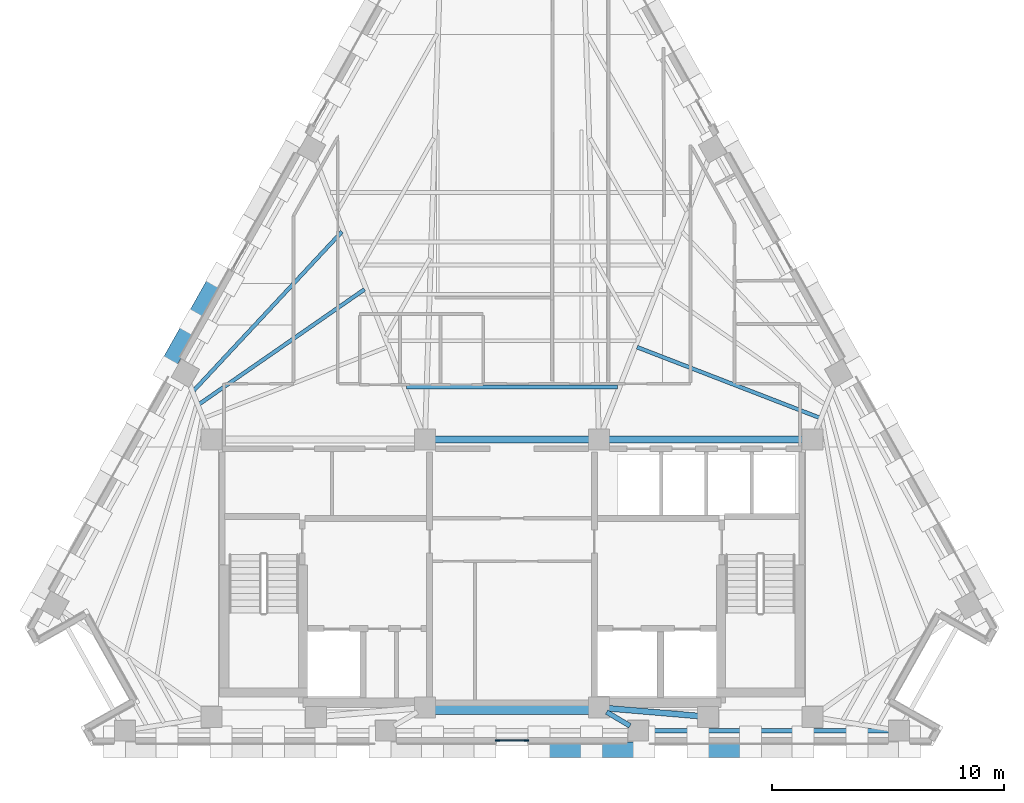
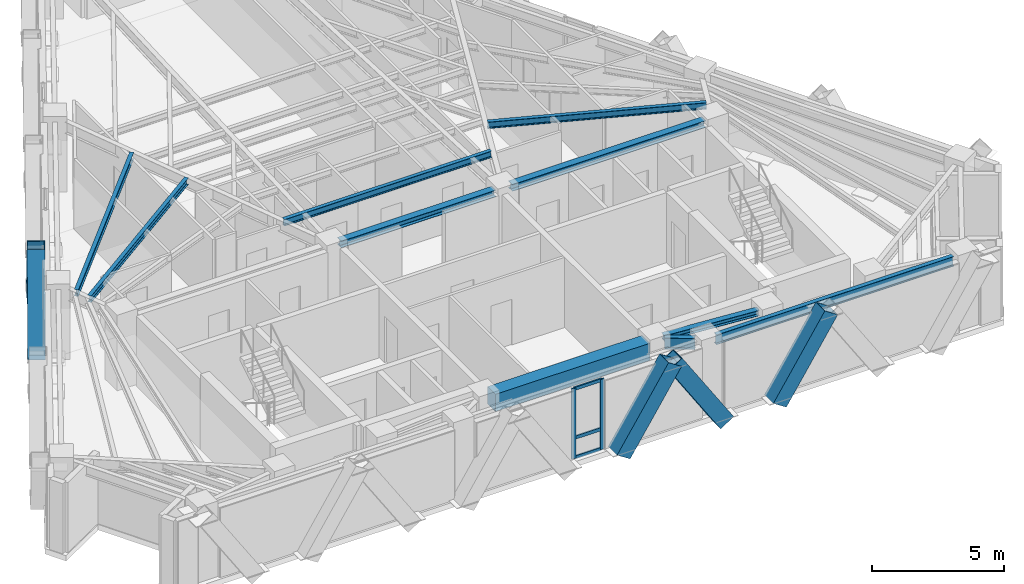
# One storey, part 2 of 13: 10 beams, 10 members, 1 element without a shape of its own.
"""IFC4 building model written with IfcOpenShell, lengths in metres."""

from ifc_helpers import new_model, si_unit, direction, frame, origin, origin_2d, place, context, subcontext, project, spatial, rectangle, hollow_rectangle, i_section, extrude, material, material_profile, profile_set, type_object, element, aggregate, save


model = new_model("IFC4")

# Units and contexts
model_context = context("Model", 3, precision=1e-05, world=origin(), true_north=direction((0.0, 1.0)))
body_context = subcontext(model_context, "Body", "Model", "MODEL_VIEW")
ifc_project = project(units=[si_unit("LENGTHUNIT", "METRE"), si_unit("AREAUNIT", "SQUARE_METRE"), si_unit("VOLUMEUNIT", "CUBIC_METRE"), si_unit("PLANEANGLEUNIT", "RADIAN"), si_unit("MASSUNIT", "GRAM", prefix="KILO")], contexts=[model_context])

# Site, building, storey
site_placement = place(None, origin())
site = spatial("IfcSite", under=ifc_project, at=site_placement, CompositionType="ELEMENT")
building_placement = place(site_placement, origin())
building = spatial("IfcBuilding", under=site, at=building_placement, Name="Quenlor Broadcast Tower", CompositionType="ELEMENT")
storey_placement = place(building_placement, frame((0.0, 0.0, 207.89990234375)))
storey = spatial("IfcBuildingStorey", under=building, at=storey_placement, Name="L57", CompositionType="ELEMENT", Elevation=207.89990234375)

# Curtain wall, members
ifc_material_1 = material(Name="Architectural Terracotta and Low-E Glazing", Category="masonry")
curtain_wall_type = type_object("IfcCurtainWallType", Name="Unitised Terracotta Curtain Wall System Z4", PredefinedType="NOTDEFINED", material=ifc_material_1)
curtain_wall_placement = place(storey_placement, origin())
curtain_wall = element("IfcCurtainWall", 1, at=curtain_wall_placement, inside=storey, type_object=curtain_wall_type, Name="L57 Curtain Wall CW4 (L57-S-G1)", PredefinedType="NOTDEFINED")
ifc_material_2 = material(Name="Aluminium 6063-T6", Category="aluminium")
ifc_material_profile_1 = material_profile(ifc_material_2, rectangle(XDim=0.068115234375, YDim=0.179931640625, at=origin_2d()))
ifc_profile_set_1 = profile_set([ifc_material_profile_1], Name="Aluminium 6063-T6 MULL68x180")
member_type_1 = type_object("IfcMemberType", Name="CW4 Aluminium Mullion MULL_CW4", PredefinedType="MULLION", material=ifc_profile_set_1)
member_1_placement = place(storey_placement, frame((0.62841796875, -17.77490234375, 0.0), z_axis=(0.0, 0.0, 1.0), x_axis=(0.0, -1.0, 0.0)))
member_1 = element("IfcMember", 2, at=member_1_placement, type_object=member_type_1, Name="CW4 mullion 1", PredefinedType="MULLION", context=body_context, shape_type="SweptSolid", body=[
    extrude(rectangle(XDim=0.068115234375, YDim=0.179931640625, at=origin_2d()), origin(), (0.0, 0.0, 1.0), 3.25),
])
member_2_placement = place(storey_placement, frame((-0.62841796875, -17.77490234375, 0.0), z_axis=(0.0, 0.0, 1.0), x_axis=(0.0, -1.0, 0.0)))
member_2 = element("IfcMember", 3, at=member_2_placement, type_object=member_type_1, Name="CW4 mullion 2", PredefinedType="MULLION", context=body_context, shape_type="SweptSolid", body=[
    extrude(rectangle(XDim=0.068115234375, YDim=0.179931640625, at=origin_2d()), origin(), (0.0, 0.0, 1.0), 3.25),
])
ifc_material_3 = material(Name="Aluminium 6063-T6", Category="aluminium")
ifc_material_profile_2 = material_profile(ifc_material_3, rectangle(XDim=0.068115234375, YDim=0.14990234375, at=origin_2d()))
ifc_profile_set_2 = profile_set([ifc_material_profile_2], Name="Aluminium 6063-T6 TRAN68x150")
member_type_2 = type_object("IfcMemberType", Name="CW4 Aluminium Transom TRAN_CW4", PredefinedType="USERDEFINED", material=ifc_profile_set_2)
member_3_placement = place(storey_placement, frame((0.59423828125, -17.77490234375, 0.0341796875), z_axis=(-1.0, 0.0, 0.0), x_axis=(0.0, -1.0, 0.0)))
member_3 = element("IfcMember", 4, at=member_3_placement, type_object=member_type_2, Name="CW4 transom 1.1", ObjectType="TRANSOM", PredefinedType="USERDEFINED", context=body_context, shape_type="SweptSolid", body=[
    extrude(rectangle(XDim=0.068115234375, YDim=0.14990234375, at=origin_2d()), origin(), (0.0, 0.0, 1.0), 1.1884765625),
])
member_4_placement = place(storey_placement, frame((0.59423828125, -17.77490234375, 0.9501953125), z_axis=(-1.0, 0.0, 0.0), x_axis=(0.0, -1.0, 0.0)))
member_4 = element("IfcMember", 5, at=member_4_placement, type_object=member_type_2, Name="CW4 transom 1.2", ObjectType="TRANSOM", PredefinedType="USERDEFINED", context=body_context, shape_type="SweptSolid", body=[
    extrude(rectangle(XDim=0.068115234375, YDim=0.14990234375, at=origin_2d()), origin(), (0.0, 0.0, 1.0), 1.1884765625),
])
member_5_placement = place(storey_placement, frame((0.59423828125, -17.77490234375, 3.216064453125), z_axis=(-1.0, 0.0, 0.0), x_axis=(0.0, -1.0, 0.0)))
member_5 = element("IfcMember", 6, at=member_5_placement, type_object=member_type_2, Name="CW4 transom 1.3", ObjectType="TRANSOM", PredefinedType="USERDEFINED", context=body_context, shape_type="SweptSolid", body=[
    extrude(rectangle(XDim=0.068115234375, YDim=0.14990234375, at=origin_2d()), origin(), (0.0, 0.0, 1.0), 1.1884765625),
])
aggregate(curtain_wall, [member_1, member_2, member_3, member_4, member_5])

# Beams
ifc_material_4 = material(Name="Concrete C50/60", Category="concrete")
ifc_material_profile_3 = material_profile(ifc_material_4, rectangle(XDim=0.60009765625, YDim=0.800048828125, at=origin_2d()))
ifc_profile_set_3 = profile_set([ifc_material_profile_3], Name="Concrete C50/60 RCB600x800")
beam_type_1 = type_object("IfcBeamType", Name="Core Coupling Beam Concrete C50/60 600x800", PredefinedType="BEAM", material=ifc_profile_set_3)
beam_1_placement = place(storey_placement, frame((-3.389892578125, -16.35009765625, 2.85009765625), z_axis=(1.0, 0.0, 0.0), x_axis=(0.0, 1.0, 0.0)))
element("IfcBeam", 7, at=beam_1_placement, inside=storey, type_object=beam_type_1, Name="L57 Core Coupling Beam 6", PredefinedType="BEAM", context=body_context, shape_type="SweptSolid", body=[
    extrude(rectangle(XDim=0.60009765625, YDim=0.800048828125, at=origin_2d()), origin(), (0.0, 0.0, 1.0), 6.77978515625),
])
ifc_material_5 = material(Name="Steel S355", Category="steel")
ifc_material_profile_4 = material_profile(ifc_material_5, i_section(OverallWidth=0.304931640625, OverallDepth=0.30810546875, WebThickness=0.010009765625, FlangeThickness=0.015380859375, FilletRadius=0.0166015625, at=origin_2d()))
ifc_profile_set_4 = profile_set([ifc_material_profile_4], Name="Steel S355 310UC96.8")
beam_type_2 = type_object("IfcBeamType", Name="Core Header Beam Steel S355 310UC96.8", PredefinedType="BEAM", material=ifc_profile_set_4)
beam_2_placement = place(storey_placement, frame((-3.389892578125, -4.800048828125, 3.09619140625), z_axis=(1.0, 0.0, 0.0), x_axis=(0.0, 1.0, 0.0)))
element("IfcBeam", 8, at=beam_2_placement, inside=storey, type_object=beam_type_2, Name="L57 Core Header Beam 2", PredefinedType="BEAM", context=body_context, shape_type="SweptSolid", body=[
    extrude(i_section(OverallWidth=0.304931640625, OverallDepth=0.30810546875, WebThickness=0.010009765625, FlangeThickness=0.015380859375, FilletRadius=0.0166015625, at=origin_2d()), origin(), (0.0, 0.0, 1.0), 6.77978515625),
])
ifc_material_6 = material(Name="Steel S355", Category="steel")
ifc_material_profile_5 = material_profile(ifc_material_6, i_section(OverallWidth=0.25390625, OverallDepth=0.25390625, WebThickness=0.008544921875, FlangeThickness=0.01416015625, FilletRadius=0.013916015625, at=origin_2d()))
ifc_profile_set_5 = profile_set([ifc_material_profile_5], Name="Steel S355 250UC72.9")
beam_type_3 = type_object("IfcBeamType", Name="Core Opening Lintel Beam Steel S355 250UC72.9", PredefinedType="LINTEL", material=ifc_profile_set_5)
beam_3_placement = place(storey_placement, frame((4.108642578125, -16.380615234375, 3.123291015625), z_axis=(0.996399763903, -0.084779186679, 0.0), x_axis=(0.084779186679, 0.996399763903, 0.0)))
element("IfcBeam", 9, at=beam_3_placement, inside=storey, type_object=beam_type_3, Name="L57 Core Opening Lintel Beam 5", PredefinedType="LINTEL", context=body_context, shape_type="SweptSolid", body=[
    extrude(i_section(OverallWidth=0.25390625, OverallDepth=0.25390625, WebThickness=0.008544921875, FlangeThickness=0.01416015625, FilletRadius=0.013916015625, at=origin_2d()), origin(), (0.0, 0.0, 1.0), 3.9970703125),
])
ifc_material_7 = material(Name="Steel S355", Category="steel")
ifc_material_profile_6 = material_profile(ifc_material_7, i_section(OverallWidth=0.306884765625, OverallDepth=0.314697265625, WebThickness=0.011962890625, FlangeThickness=0.018798828125, FilletRadius=0.0166015625, at=origin_2d()))
ifc_profile_set_6 = profile_set([ifc_material_profile_6], Name="Steel S355 310UC118")
beam_type_4 = type_object("IfcBeamType", Name="Core Tie Beam Steel S355 310UC118", PredefinedType="BEAM", material=ifc_profile_set_6)
beam_4_placement = place(storey_placement, frame((4.110107421875, -4.800048828125, 3.0927734375), z_axis=(1.0, 0.0, 0.0), x_axis=(0.0, 1.0, 0.0)))
element("IfcBeam", 10, at=beam_4_placement, inside=storey, type_object=beam_type_4, Name="L57 Core Tie Beam 3", PredefinedType="BEAM", context=body_context, shape_type="SweptSolid", body=[
    extrude(i_section(OverallWidth=0.306884765625, OverallDepth=0.314697265625, WebThickness=0.011962890625, FlangeThickness=0.018798828125, FilletRadius=0.0166015625, at=origin_2d()), origin(), (0.0, 0.0, 1.0), 8.47998046875),
])

# Members
ifc_material_8 = material(Name="Steel S355", Category="steel")
ifc_material_profile_7 = material_profile(ifc_material_8, hollow_rectangle(XDim=0.679931640625, YDim=0.679931640625, WallThickness=0.02490234375, at=origin_2d()))
ifc_profile_set_7 = profile_set([ifc_material_profile_7], Name="Steel S355 RHS680x680x25")
member_type_3 = type_object("IfcMemberType", Name="Perimeter Diagonal Lattice Brace Z3-Z4 Steel S355 RHS680x25", PredefinedType="BRACE", material=ifc_profile_set_7)
for number, where, z_axis, x_axis, name in (
    (11, (5.695068359375, -18.169921875, -0.119873046875), (-0.541794306908, 0.0, 0.840511111766), (0.0, -1.0, 0.0), "L57 Perimeter Diamond Lattice S-C2S"),
    (12, (8.005859375, -18.169921875, -0.119873046875), (0.541794306908, 0.0, 0.840511111766), (0.0, 1.0, 0.0), "L57 Perimeter Diamond Lattice S-C2B"),
    (13, (1.155517578125, -18.169921875, -0.119873046875), (0.541794306908, 0.0, 0.840511111766), (0.0, 1.0, 0.0), "L57 Perimeter Diamond Lattice S-C3B"),
):
    element("IfcMember", number, at=place(storey_placement, frame(where, z_axis=z_axis, x_axis=x_axis)), inside=storey, type_object=member_type_3, Name=name, PredefinedType="BRACE", context=body_context, shape_type="SweptSolid", body=[
        extrude(hollow_rectangle(XDim=0.679931640625, YDim=0.679931640625, WallThickness=0.02490234375, at=origin_2d()), origin(), (0.0, 0.0, 1.0), 4.1640625),
    ])
for number, where, z_axis, x_axis, name in (
    (14, (-14.923828125, -1.78466796875, -0.119873046875), (0.269485495908, 0.479188912076, 0.835317636614), (-0.871620820774, 0.490180726664, 0.0), "L57 Perimeter Diamond Lattice NW-C2S"),
    (15, (-12.651611328125, 2.255126953125, -0.119873046875), (-0.269547055694, -0.479136497832, 0.835327840559), (0.871550060774, -0.49030652817, 0.0), "L57 Perimeter Diamond Lattice NW-C3B"),
):
    element("IfcMember", number, at=place(storey_placement, frame(where, z_axis=z_axis, x_axis=x_axis)), inside=storey, type_object=member_type_3, Name=name, PredefinedType="BRACE", context=body_context, shape_type="SweptSolid", body=[
        extrude(hollow_rectangle(XDim=0.679931640625, YDim=0.679931640625, WallThickness=0.02490234375, at=origin_2d()), origin(), (0.0, 0.0, 1.0), 4.18994140625),
    ])

# Beams
ifc_material_9 = material(Name="Steel S355", Category="steel")
ifc_material_profile_8 = material_profile(ifc_material_9, i_section(OverallWidth=0.18994140625, OverallDepth=0.453857421875, WebThickness=0.008544921875, FlangeThickness=0.0126953125, FilletRadius=0.011474609375, at=origin_2d()))
ifc_profile_set_8 = profile_set([ifc_material_profile_8], Name="Steel S355 460UB67.1")
beam_type_5 = type_object("IfcBeamType", Name="Perimeter Spandrel Beam Z4 Steel S355 460UB67.1", PredefinedType="SPANDREL", material=ifc_profile_set_8)
beam_5_placement = place(storey_placement, frame((5.847900390625, -17.35009765625, 3.023193359375), z_axis=(1.0, 0.0, 0.0), x_axis=(0.0, 1.0, 0.0)))
element("IfcBeam", 16, at=beam_5_placement, inside=storey, type_object=beam_type_5, Name="L57 Spandrel Beam S3-S4", PredefinedType="SPANDREL", context=body_context, shape_type="SweptSolid", body=[
    extrude(i_section(OverallWidth=0.18994140625, OverallDepth=0.453857421875, WebThickness=0.008544921875, FlangeThickness=0.0126953125, FilletRadius=0.011474609375, at=origin_2d()), origin(), (0.0, 0.0, 1.0), 10.41796875),
])
ifc_material_10 = material(Name="Steel S355", Category="steel")
ifc_material_profile_9 = material_profile(ifc_material_10, i_section(OverallWidth=0.166015625, OverallDepth=0.30712890625, WebThickness=0.006591796875, FlangeThickness=0.01171875, FilletRadius=0.011474609375, at=origin_2d()))
ifc_profile_set_9 = profile_set([ifc_material_profile_9], Name="Steel S355 310UB46.2")
beam_type_6 = type_object("IfcBeamType", Name="Tower Composite Joist Z4-Z5 Steel S355 310UB46.2", PredefinedType="JOIST", material=ifc_profile_set_9)
beam_6_placement = place(storey_placement, frame((-4.550048828125, -2.54736328125, 3.096435546875), z_axis=(1.0, 0.0, 0.0), x_axis=(0.0, 1.0, 0.0)))
element("IfcBeam", 17, at=beam_6_placement, inside=storey, type_object=beam_type_6, Name="L57 Secondary Composite Joist 1", PredefinedType="JOIST", context=body_context, shape_type="SweptSolid", body=[
    extrude(i_section(OverallWidth=0.166015625, OverallDepth=0.30712890625, WebThickness=0.006591796875, FlangeThickness=0.01171875, FilletRadius=0.011474609375, at=origin_2d()), origin(), (0.0, 0.0, 1.0), 9.10009765625),
])
beam_7_placement = place(storey_placement, frame((-13.470458984375, -3.273681640625, 3.096435546875), z_axis=(0.821539857981, 0.570151086773, 0.0), x_axis=(-0.570151086773, 0.821539857981, 0.0)))
element("IfcBeam", 18, at=beam_7_placement, inside=storey, type_object=beam_type_6, Name="L57 Secondary Composite Joist 8", PredefinedType="JOIST", context=body_context, shape_type="SweptSolid", body=[
    extrude(i_section(OverallWidth=0.166015625, OverallDepth=0.30712890625, WebThickness=0.006591796875, FlangeThickness=0.01171875, FilletRadius=0.011474609375, at=origin_2d()), origin(), (0.0, 0.0, 1.0), 8.656982421875),
])
beam_8_placement = place(storey_placement, frame((-13.707275390625, -2.691162109375, 3.096435546875), z_axis=(0.682034672805, 0.731319837754, 0.0), x_axis=(-0.731319837754, 0.682034672805, 0.0)))
element("IfcBeam", 19, at=beam_8_placement, inside=storey, type_object=beam_type_6, Name="L57 Secondary Composite Joist 9", PredefinedType="JOIST", context=body_context, shape_type="SweptSolid", body=[
    extrude(i_section(OverallWidth=0.166015625, OverallDepth=0.30712890625, WebThickness=0.006591796875, FlangeThickness=0.01171875, FilletRadius=0.011474609375, at=origin_2d()), origin(), (0.0, 0.0, 1.0), 9.357421875),
])
beam_9_placement = place(storey_placement, frame((13.236083984375, -3.85986328125, 3.096435546875), z_axis=(-0.932639299023, 0.360810113381, 0.0), x_axis=(-0.360810113381, -0.932639299023, 0.0)))
element("IfcBeam", 20, at=beam_9_placement, inside=storey, type_object=beam_type_6, Name="L57 Secondary Composite Joist 10", PredefinedType="JOIST", context=body_context, shape_type="SweptSolid", body=[
    extrude(i_section(OverallWidth=0.166015625, OverallDepth=0.30712890625, WebThickness=0.006591796875, FlangeThickness=0.01171875, FilletRadius=0.011474609375, at=origin_2d()), origin(), (0.0, 0.0, 1.0), 8.413330078125),
])
ifc_material_11 = material(Name="Steel S355", Category="steel")
ifc_material_profile_10 = material_profile(ifc_material_11, i_section(OverallWidth=0.208984375, OverallDepth=0.5283203125, WebThickness=0.009521484375, FlangeThickness=0.01318359375, FilletRadius=0.013916015625, at=origin_2d()))
ifc_profile_set_10 = profile_set([ifc_material_profile_10], Name="Steel S355 530UB82.0")
beam_type_7 = type_object("IfcBeamType", Name="Tower Primary Floor Beam Z4 Steel S355 530UB82.0", PredefinedType="BEAM", material=ifc_profile_set_10)
beam_10_placement = place(storey_placement, frame((5.085205078125, -17.14111328125, 2.986083984375), z_axis=(-0.86032875258, 0.509739578102, 0.0), x_axis=(-0.509739578102, -0.86032875258, 0.0)))
element("IfcBeam", 21, at=beam_10_placement, inside=storey, type_object=beam_type_7, Name="L57 Primary Radial Beam S3", PredefinedType="BEAM", context=body_context, shape_type="SweptSolid", body=[
    extrude(i_section(OverallWidth=0.208984375, OverallDepth=0.5283203125, WebThickness=0.009521484375, FlangeThickness=0.01318359375, FilletRadius=0.013916015625, at=origin_2d()), origin(), (0.0, 0.0, 1.0), 1.171875),
])

save(model, "model.ifc")
